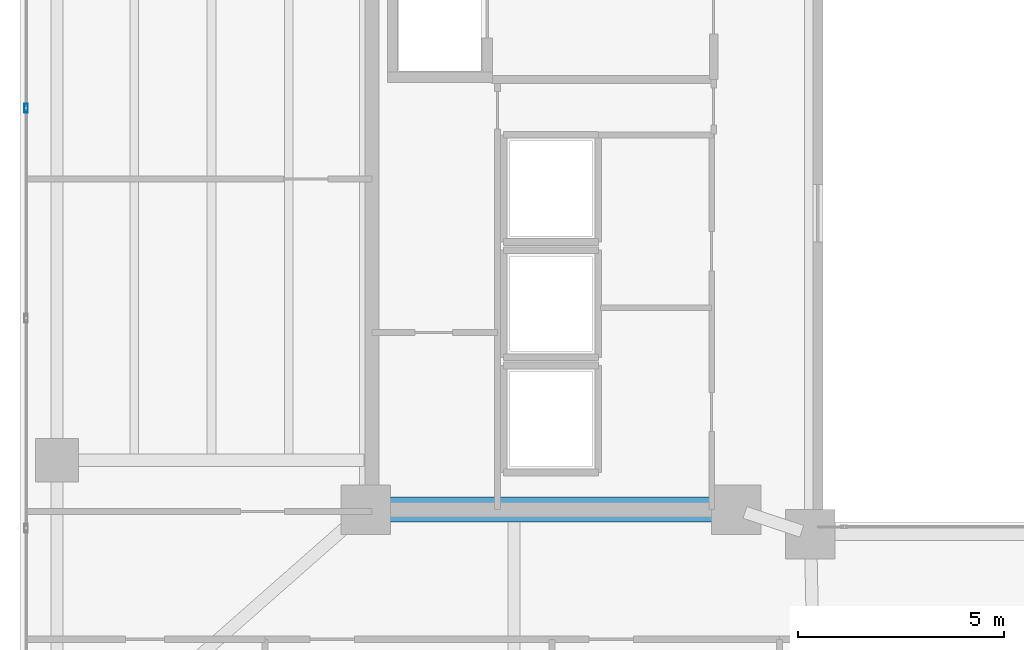
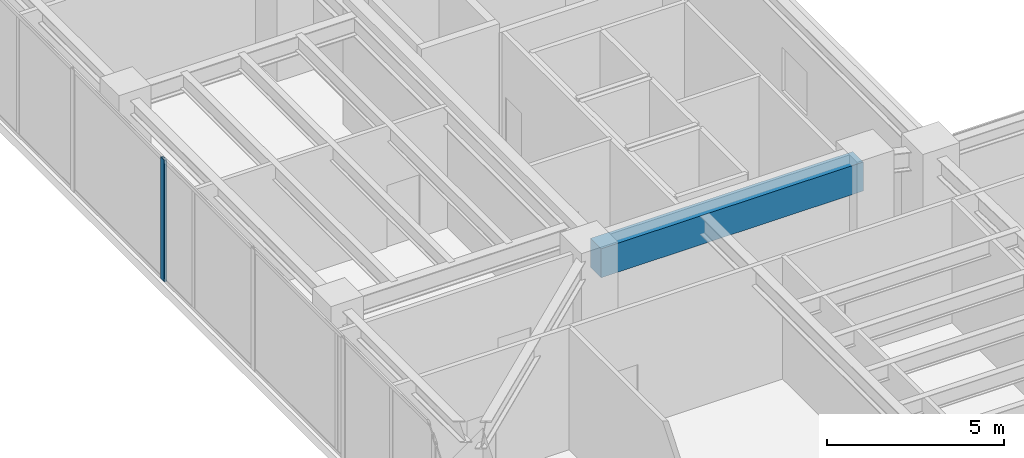
# One storey, part 9 of 37: 1 beam, 1 member, 1 element without a shape of its own.
"""IFC4 building model written with IfcOpenShell, lengths in metres."""

from ifc_helpers import new_model, si_unit, direction, frame, origin, origin_2d, place, context, subcontext, project, spatial, rectangle, hollow_rectangle, extrude, material, layer, layer_set, material_profile, profile_set, type_object, element, aggregate, save


model = new_model("IFC4")

# Units and contexts
model_context = context("Model", 3, precision=1e-05, world=origin(), true_north=direction((0.0, 1.0)))
body_context = subcontext(model_context, "Body", "Model", "MODEL_VIEW")
ifc_project = project(units=[si_unit("LENGTHUNIT", "METRE"), si_unit("AREAUNIT", "SQUARE_METRE"), si_unit("VOLUMEUNIT", "CUBIC_METRE"), si_unit("PLANEANGLEUNIT", "RADIAN"), si_unit("MASSUNIT", "GRAM", prefix="KILO")], contexts=[model_context])

# Site, building, storey
site_placement = place(None, origin())
site = spatial("IfcSite", under=ifc_project, at=site_placement, CompositionType="ELEMENT")
building_placement = place(site_placement, origin())
building = spatial("IfcBuilding", under=site, at=building_placement, Name="Tarnavaz Court Tower", CompositionType="ELEMENT")
storey_placement = place(building_placement, frame((0.0, 0.0, 118.5)))
storey = spatial("IfcBuildingStorey", under=building, at=storey_placement, Name="L32", CompositionType="ELEMENT", Elevation=118.5)

# Beam
ifc_material_1 = material(Name="Concrete C60/75", Category="concrete")
ifc_material_profile_1 = material_profile(ifc_material_1, rectangle(XDim=0.60009765625, YDim=1.0, at=origin_2d()), Name="RC 600X1000")
ifc_profile_set_1 = profile_set([ifc_material_profile_1], Name="Concrete C60/75")
beam_type = type_object("IfcBeamType", Name="BM-CB1000", PredefinedType="LINTEL", material=ifc_profile_set_1)
beam_placement = place(storey_placement, frame((-18.3798828125, -7.199951171875, 3.699951171875), z_axis=(1.0, 0.0, 0.0), x_axis=(0.0, 1.0, 0.0)))
element("IfcBeam", 1, at=beam_placement, inside=storey, type_object=beam_type, Name="L32 Beam IN-CW-SO-CW-SI", PredefinedType="LINTEL", context=body_context, shape_type="SweptSolid", body=[
    extrude(rectangle(XDim=0.60009765625, YDim=1.0, at=origin_2d()), origin(), (0.0, 0.0, 1.0), 8.559814453125),
])

# Curtain wall, member
ifc_material_2 = material(Name="Anodised Aluminium 6063-T6 and Solar Low-E Glazing", Category="aluminium")
ifc_layer = layer(ifc_material_2, 0.199951171875)
ifc_layer_set = layer_set([ifc_layer], Name="Anodised Aluminium 6063-T6 and Solar Low-E Glazing")
curtain_wall_type = type_object("IfcCurtainWallType", Name="CW-SYS-05", PredefinedType="NOTDEFINED", material=ifc_layer_set)
curtain_wall_placement = place(storey_placement, origin())
curtain_wall = element("IfcCurtainWall", 2, at=curtain_wall_placement, inside=storey, type_object=curtain_wall_type, Name="L32 Sky-Portal Curtain Wall 2", PredefinedType="NOTDEFINED")
ifc_material_3 = material(Name="Anodised Aluminium 6063-T6", Category="aluminium")
ifc_material_profile_2 = material_profile(ifc_material_3, hollow_rectangle(XDim=0.0849609375, YDim=0.219970703125, WallThickness=0.006103515625, InnerFilletRadius=0.006103515625, OuterFilletRadius=0.011962890625, at=origin_2d()), Name="ALU RHS 220X85X6")
ifc_profile_set_2 = profile_set([ifc_material_profile_2], Name="Anodised Aluminium 6063-T6")
member_type = type_object("IfcMemberType", Name="CW-MUL-220", PredefinedType="MULLION", material=ifc_profile_set_2)
member_placement = place(storey_placement, frame((-26.85009765625, 2.550048828125, 0.0), z_axis=(0.0, 0.0, 1.0), x_axis=(-1.0, 0.0, 0.0)))
member = element("IfcMember", 3, at=member_placement, type_object=member_type, Name="CW mullion 5", PredefinedType="MULLION", context=body_context, shape_type="SweptSolid", body=[
    extrude(hollow_rectangle(XDim=0.0849609375, YDim=0.219970703125, WallThickness=0.006103515625, InnerFilletRadius=0.006103515625, OuterFilletRadius=0.011962890625, at=origin_2d()), origin(), (0.0, 0.0, 1.0), 4.199951171875),
])
aggregate(curtain_wall, [member])

save(model, "model.ifc")
